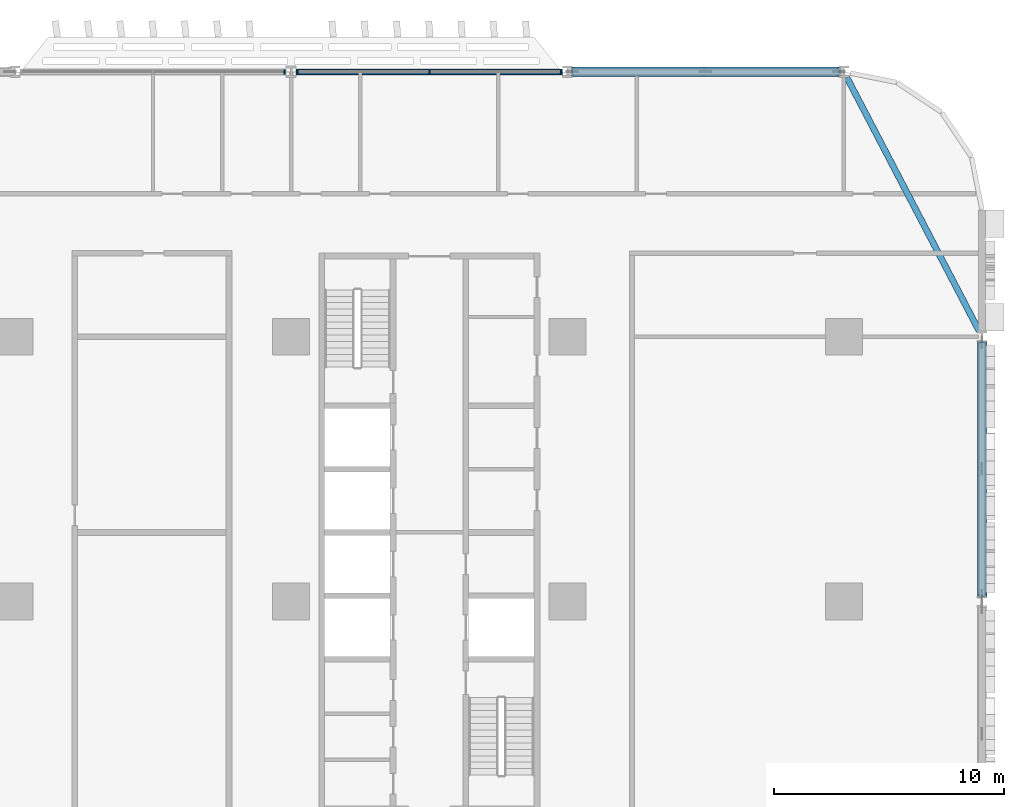
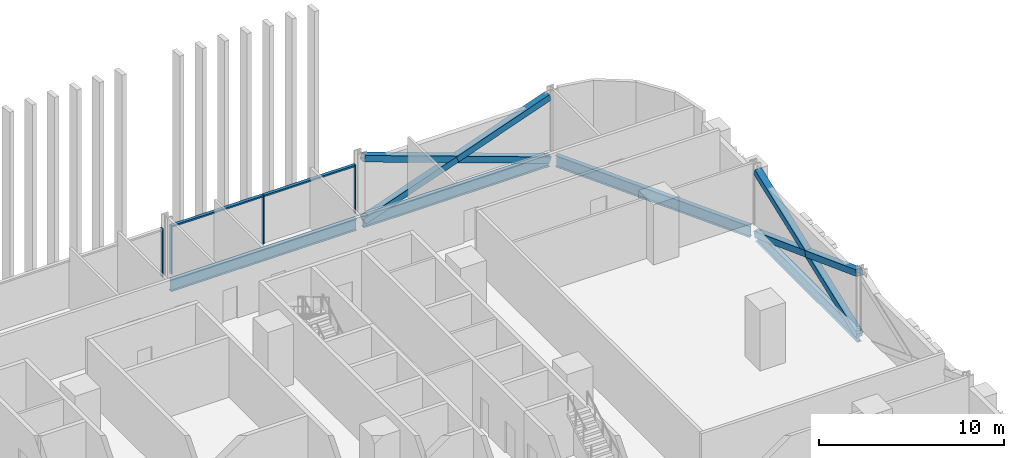
# One storey, part 8 of 29: 12 members, 4 beams, 2 elements without a shape of their own.
"""IFC4 building model written with IfcOpenShell, lengths in metres."""

from ifc_helpers import new_model, si_unit, direction, frame, origin, origin_2d, place, context, subcontext, project, spatial, rectangle, hollow_rectangle, i_section, extrude, material, material_profile, profile_set, type_object, element, aggregate, save


model = new_model("IFC4")

# Units and contexts
model_context = context("Model", 3, precision=1e-05, world=origin(), true_north=direction((0.0, 1.0)))
body_context = subcontext(model_context, "Body", "Model", "MODEL_VIEW")
ifc_project = project(units=[si_unit("LENGTHUNIT", "METRE"), si_unit("AREAUNIT", "SQUARE_METRE"), si_unit("VOLUMEUNIT", "CUBIC_METRE"), si_unit("PLANEANGLEUNIT", "RADIAN"), si_unit("MASSUNIT", "GRAM", prefix="KILO")], contexts=[model_context])

# Site, building, storey
site_placement = place(None, origin())
site = spatial("IfcSite", under=ifc_project, at=site_placement, CompositionType="ELEMENT")
building_placement = place(site_placement, origin())
building = spatial("IfcBuilding", under=site, at=building_placement, Name="Mahtab Terrace Research Tower", CompositionType="ELEMENT")
storey_placement = place(building_placement, frame((0.0, 0.0, 24.39990234375)))
storey = spatial("IfcBuildingStorey", under=building, at=storey_placement, Name="L05", CompositionType="ELEMENT", Elevation=24.39990234375)

# Members
ifc_material_1 = material(Name="Steel ASTM A500 Gr C", Category="steel")
ifc_material_profile_1 = material_profile(ifc_material_1, hollow_rectangle(XDim=0.406494140625, YDim=0.406494140625, WallThickness=0.01904296875, at=origin_2d()), Name="HSS16X16X3/4")
ifc_profile_set_1 = profile_set([ifc_material_profile_1], Name="Steel ASTM A500 Gr C")
member_type_1 = type_object("IfcMemberType", Name="HSS 16x16x3/4 brace XB161634", PredefinedType="BRACE", material=ifc_profile_set_1)
member_1_placement = place(storey_placement, frame((41.7841796875, 23.0, -0.640869140625), z_axis=(-0.941388097231, 0.0, 0.337325436917), x_axis=(0.0, -1.0, 0.0)))
element("IfcMember", 1, at=member_1_placement, inside=storey, type_object=member_type_1, Name="Exoskeleton brace L05 01 a", PredefinedType="BRACE", context=body_context, shape_type="SweptSolid", body=[
    extrude(hollow_rectangle(XDim=0.406494140625, YDim=0.406494140625, WallThickness=0.01904296875, at=origin_2d()), origin(), (0.0, 0.0, 1.0), 12.28857421875),
])
for number, where, z_axis, x_axis, name in (
    (2, (30.2158203125, 23.0, -0.640869140625), (0.941394406025, 0.0, 0.337307830185), (0.0, 1.0, 0.0), "Exoskeleton brace L05 01 b1"),
    (3, (36.0, 23.0, 1.431640625), (0.941381788192, 0.0, 0.337343043295), (0.0, 1.0, 0.0), "Exoskeleton brace L05 01 b2"),
):
    element("IfcMember", number, at=place(storey_placement, frame(where, z_axis=z_axis, x_axis=x_axis)), inside=storey, type_object=member_type_1, Name=name, PredefinedType="BRACE", context=body_context, shape_type="SweptSolid", body=[
        extrude(hollow_rectangle(XDim=0.406494140625, YDim=0.406494140625, WallThickness=0.01904296875, at=origin_2d()), origin(), (0.0, 0.0, 1.0), 6.144287109375),
    ])
member_2_placement = place(storey_placement, frame((48.0, 0.248779296875, -0.625244140625), z_axis=(0.0, 0.936668691391, 0.350216736563), x_axis=(-1.0, 0.0, 0.0)))
element("IfcMember", 4, at=member_2_placement, inside=storey, type_object=member_type_1, Name="Exoskeleton brace L05 21 a", PredefinedType="BRACE", context=body_context, shape_type="SweptSolid", body=[
    extrude(hollow_rectangle(XDim=0.406494140625, YDim=0.406494140625, WallThickness=0.01904296875, at=origin_2d()), origin(), (0.0, 0.0, 1.0), 11.746337890625),
])
for number, where, z_axis, x_axis, name in (
    (5, (48.0, 11.251220703125, -0.625244140625), (0.0, -0.936668691391, 0.350216736563), (1.0, 0.0, 0.0), "Exoskeleton brace L05 21 b1"),
    (6, (48.0, 5.75, 1.431640625), (0.0, -0.936668691391, 0.350216736563), (1.0, 0.0, 0.0), "Exoskeleton brace L05 21 b2"),
):
    element("IfcMember", number, at=place(storey_placement, frame(where, z_axis=z_axis, x_axis=x_axis)), inside=storey, type_object=member_type_1, Name=name, PredefinedType="BRACE", context=body_context, shape_type="SweptSolid", body=[
        extrude(hollow_rectangle(XDim=0.406494140625, YDim=0.406494140625, WallThickness=0.01904296875, at=origin_2d()), origin(), (0.0, 0.0, 1.0), 5.873291015625),
    ])

# Curtain wall, members
ifc_material_2 = material(Name="Laboratory ribbon curtain wall")
curtain_wall_type = type_object("IfcCurtainWallType", Name="Laboratory ribbon curtain wall", PredefinedType="NOTDEFINED", material=ifc_material_2)
curtain_wall_1_placement = place(storey_placement, origin())
curtain_wall_1 = element("IfcCurtainWall", 7, at=curtain_wall_1_placement, inside=storey, type_object=curtain_wall_type, Name="EN.L05.3.4", PredefinedType="NOTDEFINED")
ifc_material_3 = material(Name="Natural anodised aluminium", Category="aluminium")
ifc_material_profile_2 = material_profile(ifc_material_3, rectangle(XDim=0.199951171875, YDim=0.06494140625, at=origin_2d()), Name="MULLION 65x200")
ifc_profile_set_2 = profile_set([ifc_material_profile_2], Name="Natural anodised aluminium")
member_type_2 = type_object("IfcMemberType", Name="Laboratory ribbon curtain wall mullion", PredefinedType="MULLION", material=ifc_profile_set_2)
member_3_placement = place(storey_placement, frame((29.718505859375, 23.0, 0.0), z_axis=(0.0, 0.0, 1.0), x_axis=(0.0, -1.0, 0.0)))
member_3 = element("IfcMember", 8, at=member_3_placement, type_object=member_type_2, Name="CWL-1 mullion 1", PredefinedType="MULLION", context=body_context, shape_type="SweptSolid", body=[
    extrude(rectangle(XDim=0.199951171875, YDim=0.06494140625, at=origin_2d()), origin(), (0.0, 0.0, 1.0), 3.203125),
])
member_4_placement = place(storey_placement, frame((24.0, 23.0, 0.0), z_axis=(0.0, 0.0, 1.0), x_axis=(0.0, -1.0, 0.0)))
member_4 = element("IfcMember", 9, at=member_4_placement, type_object=member_type_2, Name="CWL-1 mullion 2", PredefinedType="MULLION", context=body_context, shape_type="SweptSolid", body=[
    extrude(rectangle(XDim=0.199951171875, YDim=0.06494140625, at=origin_2d()), origin(), (0.0, 0.0, 1.0), 3.203125),
])
member_5_placement = place(storey_placement, frame((18.281494140625, 23.0, 0.0), z_axis=(0.0, 0.0, 1.0), x_axis=(0.0, -1.0, 0.0)))
member_5 = element("IfcMember", 10, at=member_5_placement, type_object=member_type_2, Name="CWL-1 mullion 3", PredefinedType="MULLION", context=body_context, shape_type="SweptSolid", body=[
    extrude(rectangle(XDim=0.199951171875, YDim=0.06494140625, at=origin_2d()), origin(), (0.0, 0.0, 1.0), 3.203125),
])

# Curtain wall, member
curtain_wall_2_placement = place(storey_placement, origin())
curtain_wall_2 = element("IfcCurtainWall", 11, at=curtain_wall_2_placement, inside=storey, type_object=curtain_wall_type, Name="EN.L05.3.5", PredefinedType="NOTDEFINED")
member_6_placement = place(storey_placement, frame((17.718505859375, 23.0, 0.0), z_axis=(0.0, 0.0, 1.0), x_axis=(0.0, -1.0, 0.0)))
member_6 = element("IfcMember", 12, at=member_6_placement, type_object=member_type_2, Name="CWL-1 mullion 1", PredefinedType="MULLION", context=body_context, shape_type="SweptSolid", body=[
    extrude(rectangle(XDim=0.199951171875, YDim=0.06494140625, at=origin_2d()), origin(), (0.0, 0.0, 1.0), 3.203125),
])
aggregate(curtain_wall_2, [member_6])

# Member
ifc_material_profile_3 = material_profile(ifc_material_3, rectangle(XDim=0.199951171875, YDim=0.10009765625, at=origin_2d()), Name="TRANSOM 100x200")
ifc_profile_set_3 = profile_set([ifc_material_profile_3], Name="Natural anodised aluminium")
member_type_3 = type_object("IfcMemberType", Name="Laboratory ribbon curtain wall transom", PredefinedType="USERDEFINED", material=ifc_profile_set_3)
member_7_placement = place(storey_placement, frame((29.68603515625, 23.0, 3.153076171875), z_axis=(-1.0, 0.0, 0.0), x_axis=(0.0, -1.0, 0.0)))
member_7 = element("IfcMember", 13, at=member_7_placement, type_object=member_type_3, Name="CWL-1 transom 1", ObjectType="TRANSOM", PredefinedType="USERDEFINED", context=body_context, shape_type="SweptSolid", body=[
    extrude(rectangle(XDim=0.199951171875, YDim=0.10009765625, at=origin_2d()), origin(), (0.0, 0.0, 1.0), 5.653564453125),
])

member_8_placement = place(storey_placement, frame((23.967529296875, 23.0, 3.153076171875), z_axis=(-1.0, 0.0, 0.0), x_axis=(0.0, -1.0, 0.0)))
member_8 = element("IfcMember", 14, at=member_8_placement, type_object=member_type_3, Name="CWL-1 transom 2", ObjectType="TRANSOM", PredefinedType="USERDEFINED", context=body_context, shape_type="SweptSolid", body=[
    extrude(rectangle(XDim=0.199951171875, YDim=0.10009765625, at=origin_2d()), origin(), (0.0, 0.0, 1.0), 5.653564453125),
])

aggregate(curtain_wall_1, [member_3, member_4, member_5, member_7, member_8])

# Beams
ifc_material_4 = material(Name="Steel ASTM A992 Gr 50", Category="steel")
ifc_material_profile_4 = material_profile(ifc_material_4, i_section(OverallWidth=0.2666015625, OverallDepth=0.7568359375, WebThickness=0.013916015625, FlangeThickness=0.019287109375, at=origin_2d()), Name="W30X108")
ifc_profile_set_4 = profile_set([ifc_material_profile_4], Name="Steel ASTM A992 Gr 50")
beam_type = type_object("IfcBeamType", Name="W30x108 beam BS30108", PredefinedType="BEAM", material=ifc_profile_set_4)
for number, where, z_axis, x_axis, name in (
    (15, (41.7841796875, 23.0, -0.71826171875), (-1.0, 0.0, 0.0), (0.0, -1.0, 0.0), "Spandrel beam L05 01"),
    (16, (29.7841796875, 23.0, -0.71826171875), (-1.0, 0.0, 0.0), (0.0, -1.0, 0.0), "Spandrel beam L05 02"),
):
    element("IfcBeam", number, at=place(storey_placement, frame(where, z_axis=z_axis, x_axis=x_axis)), inside=storey, type_object=beam_type, Name=name, PredefinedType="BEAM", context=body_context, shape_type="SweptSolid", body=[
        extrude(i_section(OverallWidth=0.2666015625, OverallDepth=0.7568359375, WebThickness=0.013916015625, FlangeThickness=0.019287109375, at=origin_2d()), origin(), (0.0, 0.0, 1.0), 11.568359375),
    ])
beam_1_placement = place(storey_placement, frame((48.0, 0.248779296875, -0.71826171875), z_axis=(0.0, 1.0, 0.0), x_axis=(-1.0, 0.0, 0.0)))
element("IfcBeam", 17, at=beam_1_placement, inside=storey, type_object=beam_type, Name="Spandrel beam L05 21", PredefinedType="BEAM", context=body_context, shape_type="SweptSolid", body=[
    extrude(i_section(OverallWidth=0.2666015625, OverallDepth=0.7568359375, WebThickness=0.013916015625, FlangeThickness=0.019287109375, at=origin_2d()), origin(), (0.0, 0.0, 1.0), 11.00244140625),
])
beam_2_placement = place(storey_placement, frame((47.8701171875, 11.748779296875, -0.71826171875), z_axis=(-0.462555249274, 0.88659045865, 0.0), x_axis=(-0.88659045865, -0.462555249274, 0.0)))
element("IfcBeam", 18, at=beam_2_placement, inside=storey, type_object=beam_type, Name="Spandrel beam L05 22", PredefinedType="BEAM", context=body_context, shape_type="SweptSolid", body=[
    extrude(i_section(OverallWidth=0.2666015625, OverallDepth=0.7568359375, WebThickness=0.013916015625, FlangeThickness=0.019287109375, at=origin_2d()), origin(), (0.0, 0.0, 1.0), 12.409912109375),
])

save(model, "model.ifc")
